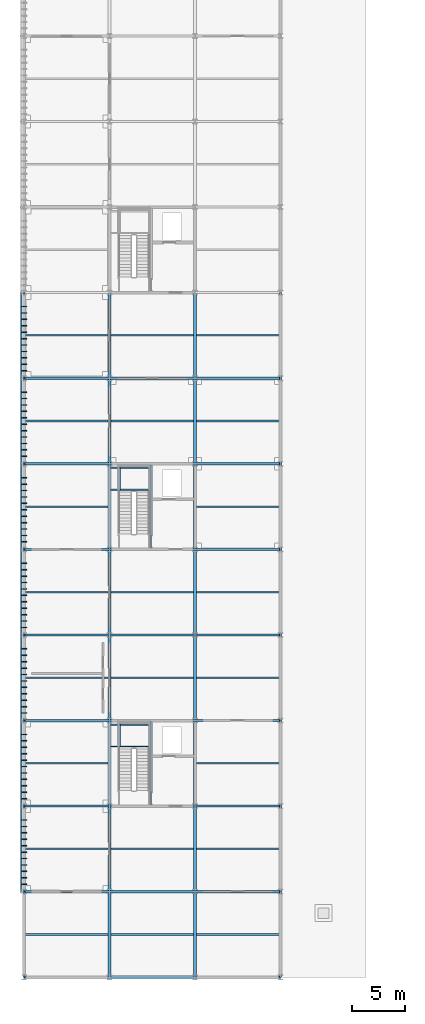
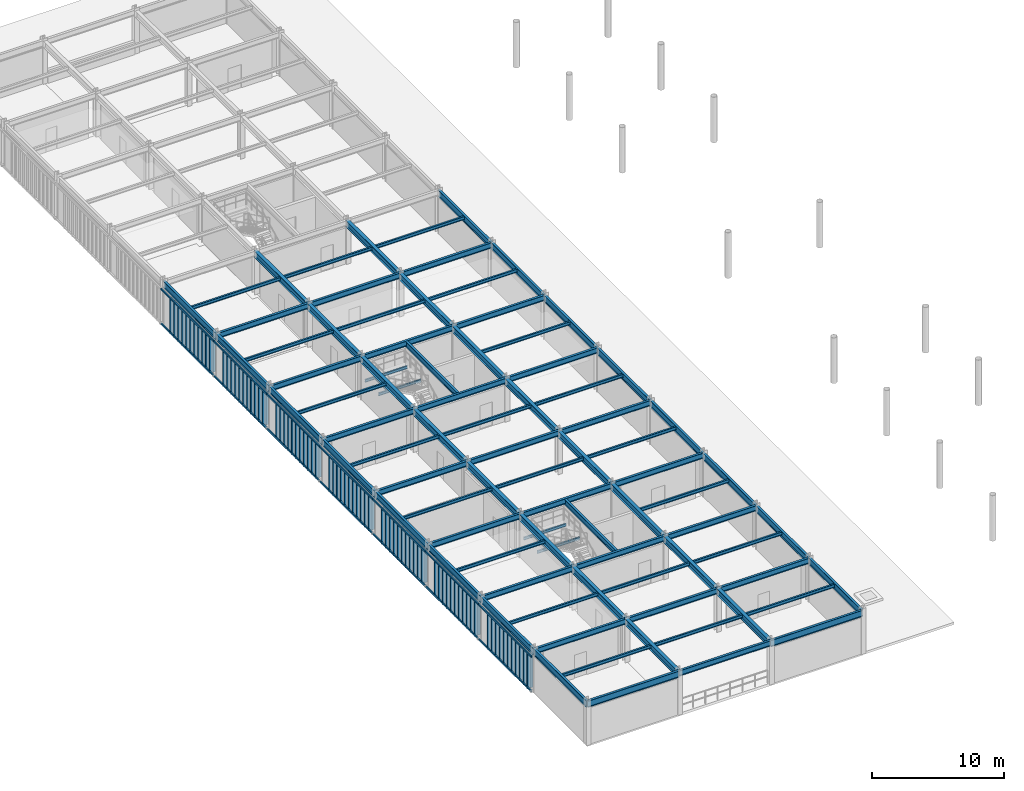
# One storey, part 12 of 54: 91 members, 86 beams.
"""IFC4 building model written with IfcOpenShell, lengths in metres."""

import ifcopenshell
import ifcopenshell.guid

model = None  # the IFC model being written
_history = None  # IfcOwnerHistory: only IFC2X3 demands one
_inside = {}  # id of a spatial element -> (the spatial element, [elements in it])
_under = {}  # id of a project, library or spatial element -> (it, [spatial elements below it])
_declared = {}  # id of a project -> (the project, [libraries it declares])
_typed = {}  # id of a type object -> (the type object, [elements of that type])
_made_of = {}  # id of a material, layer set ... -> (it, [elements and type objects made of it])


def new_model(schema):
    """Start an empty IFC model of exactly this schema.

    Asked for "IFC4X3", IfcOpenShell would pick the latest addendum, in which some entities
    have other attributes; the version numbers below select the first issue.
    IFC2X3 requires an IfcOwnerHistory on every rooted entity: one is made here for all.
    """
    global model, _history
    if schema == "IFC4X3":
        model = ifcopenshell.file(schema_version=(4, 3, 0, 0))
    else:
        model = ifcopenshell.file(schema=schema)
    _inside.clear()
    _under.clear()
    _declared.clear()
    _typed.clear()
    _made_of.clear()
    _history = None
    if model.schema == "IFC2X3":
        org = make("IfcOrganization", Name="unknown")
        user = make(
            "IfcPersonAndOrganization",
            ThePerson=make("IfcPerson", FamilyName="unknown"),
            TheOrganization=org,
        )
        app = make(
            "IfcApplication",
            ApplicationDeveloper=org,
            Version="unknown",
            ApplicationFullName="unknown",
            ApplicationIdentifier="unknown",
        )
        _history = make(
            "IfcOwnerHistory",
            OwningUser=user,
            OwningApplication=app,
            ChangeAction="ADDED",
            CreationDate=0,
        )
    return model


def make(cls, **values):
    """One entity of the class cls with the attributes given. An attribute that is None is left unset."""
    return model.create_entity(
        cls, **{name: value for name, value in values.items() if value is not None}
    )


def rooted(cls, **values):
    """An entity with a GlobalId (a new one), such as an element, a storey or a relation."""
    return make(cls, GlobalId=ifcopenshell.guid.new(), OwnerHistory=_history, **values)


def si_unit(unit_type, name, prefix=None):
    """IfcSIUnit, for example si_unit("LENGTHUNIT", "METRE", prefix="MILLI")."""
    return make("IfcSIUnit", UnitType=unit_type, Prefix=prefix, Name=name)


def assignment(units):
    """IfcUnitAssignment: the units of a project."""
    return None if units is None else make("IfcUnitAssignment", Units=units)


def point(xyz):
    """IfcCartesianPoint."""
    return None if xyz is None else make("IfcCartesianPoint", Coordinates=xyz)


def direction(xyz):
    """IfcDirection."""
    return None if xyz is None else make("IfcDirection", DirectionRatios=xyz)


def frame(location, z_axis=None, x_axis=None):
    """IfcAxis2Placement3D, a coordinate frame: its origin and axes. An axis left out is left unset."""
    return make(
        "IfcAxis2Placement3D",
        Location=point(location),
        Axis=direction(z_axis),
        RefDirection=direction(x_axis),
    )


def frame_2d(location, x_axis=None):
    """IfcAxis2Placement2D, a coordinate frame in the plane: its origin and x axis."""
    return make(
        "IfcAxis2Placement2D", Location=point(location), RefDirection=direction(x_axis)
    )


def origin():
    """The frame at (0, 0, 0) with its axes left unset."""
    return frame((0.0, 0.0, 0.0))


def origin_2d():
    """The frame at (0, 0) in the plane with its x axis left unset."""
    return frame_2d((0.0, 0.0))


def place(relative_to, where):
    """IfcLocalPlacement: puts the frame where relative to a parent placement (None: the world)."""
    return make(
        "IfcLocalPlacement", PlacementRelTo=relative_to, RelativePlacement=where
    )


def context(
    kind, dimensions, precision=None, world=None, true_north=None, identifier=None
):
    """IfcGeometricRepresentationContext, for example the 3D "Model" context."""
    return make(
        "IfcGeometricRepresentationContext",
        ContextIdentifier=identifier,
        ContextType=kind,
        CoordinateSpaceDimension=dimensions,
        Precision=precision,
        WorldCoordinateSystem=world,
        TrueNorth=true_north,
    )


def subcontext(parent, identifier, kind, view, scale=None):
    """IfcGeometricRepresentationSubContext, for example "Body" below "Model"."""
    return make(
        "IfcGeometricRepresentationSubContext",
        ContextIdentifier=identifier,
        ContextType=kind,
        ParentContext=parent,
        TargetScale=scale,
        TargetView=view,
    )


def project(units=None, contexts=None):
    """IfcProject with its units and contexts."""
    return rooted(
        "IfcProject",
        Name="project",
        RepresentationContexts=contexts,
        UnitsInContext=assignment(units),
    )


def spatial(cls, under=None, at=None, **own):
    """A site, building, storey or space (cls), placed at a placement, below another one or the project."""
    s = rooted(cls, ObjectPlacement=at, **own)
    if under is not None:
        _under.setdefault(under.id(), (under, []))[1].append(s)
    return s


def profile(cls, at=None, kind="AREA", **sizes):
    """A parametric profile (cls). Its sizes go by their IFC names, for example OverallWidth=200.0."""
    return make(cls, ProfileType=kind, Position=at, **sizes)


def rectangle(**sizes):
    """IfcRectangleProfileDef."""
    return profile("IfcRectangleProfileDef", **sizes)


def hollow_rectangle(**sizes):
    """IfcRectangleHollowProfileDef."""
    return profile("IfcRectangleHollowProfileDef", **sizes)


def i_section(**sizes):
    """IfcIShapeProfileDef."""
    return profile("IfcIShapeProfileDef", **sizes)


def extrude(swept, where, along, depth):
    """IfcExtrudedAreaSolid: the profile swept, set in the frame where, extruded along a direction by depth."""
    return make(
        "IfcExtrudedAreaSolid",
        SweptArea=swept,
        Position=where,
        ExtrudedDirection=direction(along),
        Depth=depth,
    )


def shape(context_of_items, identifier, shape_type, items):
    """IfcShapeRepresentation: the items that make up one representation, for example the "Body"."""
    return make(
        "IfcShapeRepresentation",
        ContextOfItems=context_of_items,
        RepresentationIdentifier=identifier,
        RepresentationType=shape_type,
        Items=items,
    )


def material(Name=None, Category=None):
    """IfcMaterial."""
    return make("IfcMaterial", Name=Name, Category=Category)


def material_profile(
    of_material, cross_section, Name=None, Category=None, Priority=None
):
    """IfcMaterialProfile: a cross section and its material."""
    return make(
        "IfcMaterialProfile",
        Name=Name,
        Material=of_material,
        Profile=cross_section,
        Priority=Priority,
        Category=Category,
    )


def profile_set(profiles, Name=None, composite=None):
    """IfcMaterialProfileSet."""
    return make(
        "IfcMaterialProfileSet",
        Name=Name,
        MaterialProfiles=profiles,
        CompositeProfile=composite,
    )


def made_of(thing, what):
    """Note that an element or type object is made of a material, layer set ...; save() writes the relation."""
    if what is not None:
        _made_of.setdefault(what.id(), (what, []))[1].append(thing)
    return thing


def type_object(cls, material=None, **own):
    """A type object (cls), such as IfcWallType, which elements share."""
    return made_of(rooted(cls, **own), material)


def element(
    cls,
    number,
    at=None,
    inside=None,
    cuts=None,
    type_object=None,
    material=None,
    context=None,
    identifier="Body",
    shape_type=None,
    held_by="IfcProductDefinitionShape",
    body=None,
    shapes=None,
    **own,
):
    """One element of the class cls, such as IfcWall. Its Tag is "e" and its number.

    at: its placement. inside: the storey or other place that contains it. cuts: it is an
    opening in that element (IfcRelVoidsElement). A single representation is given by context,
    identifier, shape_type and body (its items); several are given by shapes. held_by: the class
    of the entity that holds the representations. save() writes the other relations.
    """
    e = rooted(cls, Tag="e%d" % number, ObjectPlacement=at, **own)
    if body is not None:
        shapes = [shape(context, identifier, shape_type, body)]
    if shapes is not None:
        e.Representation = make(held_by, Representations=shapes)
    if inside is not None:
        _inside.setdefault(inside.id(), (inside, []))[1].append(e)
    if cuts is not None:
        rooted(
            "IfcRelVoidsElement", RelatingBuildingElement=cuts, RelatedOpeningElement=e
        )
    if type_object is not None:
        _typed.setdefault(type_object.id(), (type_object, []))[1].append(e)
    return made_of(e, material)


def aggregate(whole, parts):
    """IfcRelAggregates: a whole, such as a stair, and the parts it consists of."""
    return rooted("IfcRelAggregates", RelatingObject=whole, RelatedObjects=parts)


def save(model, path):
    """Write the relations noted so far, then the file.

    IfcRelAggregates (storeys below a building ...), IfcRelContainedInSpatialStructure (elements
    in a storey), IfcRelDefinesByType, IfcRelAssociatesMaterial and IfcRelDeclares: one each for
    every whole, place, type object, material and project.
    """
    for whole, parts in _under.values():
        aggregate(whole, parts)
    for where, things in _inside.values():
        rooted(
            "IfcRelContainedInSpatialStructure",
            RelatedElements=things,
            RelatingStructure=where,
        )
    for kind, things in _typed.values():
        rooted("IfcRelDefinesByType", RelatedObjects=things, RelatingType=kind)
    for what, things in _made_of.values():
        rooted("IfcRelAssociatesMaterial", RelatedObjects=things, RelatingMaterial=what)
    for by, libraries in _declared.values():
        rooted("IfcRelDeclares", RelatingContext=by, RelatedDefinitions=libraries)
    model.write(path)


model = new_model("IFC4")

# Units and contexts
model_context = context("Model", 3, precision=1e-05, world=origin(), true_north=direction((0.0, 1.0)))
body_context = subcontext(model_context, "Body", "Model", "MODEL_VIEW")
ifc_project = project(units=[si_unit("LENGTHUNIT", "METRE"), si_unit("AREAUNIT", "SQUARE_METRE"), si_unit("VOLUMEUNIT", "CUBIC_METRE"), si_unit("PLANEANGLEUNIT", "RADIAN"), si_unit("MASSUNIT", "GRAM", prefix="KILO")], contexts=[model_context])

# Site, building, storey
site_placement = place(None, origin())
site = spatial("IfcSite", under=ifc_project, at=site_placement, CompositionType="ELEMENT")
building_placement = place(site_placement, origin())
building = spatial("IfcBuilding", under=site, at=building_placement, Name="Haebicheon Civic Stadium", CompositionType="ELEMENT")
storey_placement = place(building_placement, frame((0.0, 0.0, 22.800048828125)))
storey = spatial("IfcBuildingStorey", under=building, at=storey_placement, Name="L06", CompositionType="ELEMENT", Elevation=22.800048828125)

# Beams
ifc_material_1 = material(Name="Steel SM355 (S355)", Category="steel")
ifc_material_profile_1 = material_profile(ifc_material_1, i_section(OverallWidth=0.199951171875, OverallDepth=0.5, WebThickness=0.010009765625, FlangeThickness=0.01611328125, at=origin_2d()), Name="H-500x200x10x16")
ifc_profile_set_1 = profile_set([ifc_material_profile_1], Name="Steel SM355 (S355)")
beam_type_1 = type_object("IfcBeamType", Name="BM-ST-H500", PredefinedType="BEAM", material=ifc_profile_set_1)
for number, where, z_axis, x_axis, name in (
    (1, (24.0, 48.0, 3.699951171875), (1.0, 0.0, 0.0), (0.0, 1.0, 0.0), "L06 beam G/4-5"),
    (2, (24.0, 56.0, 3.699951171875), (1.0, 0.0, 0.0), (0.0, 1.0, 0.0), "L06 beam H/4-5"),
    (3, (24.0, 64.0, 3.699951171875), (1.0, 0.0, 0.0), (0.0, 1.0, 0.0), "L06 beam J/4-5"),
    (4, (24.0, 72.0, 3.699951171875), (1.0, 0.0, 0.0), (0.0, 1.0, 0.0), "L06 beam K/4-5"),
    (5, (24.0, 80.0, 3.699951171875), (1.0, 0.0, 0.0), (0.0, 1.0, 0.0), "L06 beam L/4-5"),
    (6, (24.0, 88.0, 3.699951171875), (1.0, 0.0, 0.0), (0.0, 1.0, 0.0), "L06 beam M/4-5"),
    (7, (24.0, 96.0, 3.699951171875), (1.0, 0.0, 0.0), (0.0, 1.0, 0.0), "L06 beam N/4-5"),
    (8, (32.0, 40.0, 3.72998046875), (1.0, 0.0, 0.0), (0.0, 1.0, 0.0), "L06 beam F/5-6"),
    (9, (32.0, 48.0, 3.699951171875), (1.0, 0.0, 0.0), (0.0, 1.0, 0.0), "L06 beam G/5-6"),
    (10, (32.0, 56.0, 3.699951171875), (1.0, 0.0, 0.0), (0.0, 1.0, 0.0), "L06 beam H/5-6"),
    (11, (32.0, 64.0, 3.699951171875), (1.0, 0.0, 0.0), (0.0, 1.0, 0.0), "L06 beam J/5-6"),
    (12, (32.0, 72.0, 3.699951171875), (1.0, 0.0, 0.0), (0.0, 1.0, 0.0), "L06 beam K/5-6"),
    (13, (32.0, 80.0, 3.699951171875), (1.0, 0.0, 0.0), (0.0, 1.0, 0.0), "L06 beam L/5-6"),
    (14, (32.0, 88.0, 3.699951171875), (1.0, 0.0, 0.0), (0.0, 1.0, 0.0), "L06 beam M/5-6"),
    (15, (32.0, 96.0, 3.699951171875), (1.0, 0.0, 0.0), (0.0, 1.0, 0.0), "L06 beam N/5-6"),
    (16, (40.0, 48.0, 3.699951171875), (1.0, 0.0, 0.0), (0.0, 1.0, 0.0), "L06 beam G/6-7"),
    (17, (40.0, 56.0, 3.699951171875), (1.0, 0.0, 0.0), (0.0, 1.0, 0.0), "L06 beam H/6-7"),
    (18, (40.0, 64.0, 3.699951171875), (1.0, 0.0, 0.0), (0.0, 1.0, 0.0), "L06 beam J/6-7"),
    (19, (40.0, 72.0, 3.699951171875), (1.0, 0.0, 0.0), (0.0, 1.0, 0.0), "L06 beam K/6-7"),
    (20, (40.0, 80.0, 3.699951171875), (1.0, 0.0, 0.0), (0.0, 1.0, 0.0), "L06 beam L/6-7"),
    (21, (40.0, 88.0, 3.699951171875), (1.0, 0.0, 0.0), (0.0, 1.0, 0.0), "L06 beam M/6-7"),
    (22, (40.0, 96.0, 3.699951171875), (1.0, 0.0, 0.0), (0.0, 1.0, 0.0), "L06 beam N/6-7"),
):
    element("IfcBeam", number, at=place(storey_placement, frame(where, z_axis=z_axis, x_axis=x_axis)), inside=storey, type_object=beam_type_1, material=ifc_profile_set_1, Name=name, PredefinedType="BEAM", context=body_context, shape_type="SweptSolid", body=[
        extrude(i_section(OverallWidth=0.199951171875, OverallDepth=0.5, WebThickness=0.010009765625, FlangeThickness=0.01611328125, at=origin_2d()), origin(), (0.0, 0.0, 1.0), 8.0),
    ])
for number, where, z_axis, x_axis, name in (
    (23, (35.8798828125, 56.10009765625, 3.699951171875), (0.0, 1.0, 0.0), (-1.0, 0.0, 0.0), "L06 KC-02 core dividing wall support beam"),
    (24, (35.8798828125, 80.10009765625, 3.699951171875), (0.0, 1.0, 0.0), (-1.0, 0.0, 0.0), "L06 KC-03 core dividing wall support beam"),
):
    element("IfcBeam", number, at=place(storey_placement, frame(where, z_axis=z_axis, x_axis=x_axis)), inside=storey, type_object=beam_type_1, material=ifc_profile_set_1, Name=name, PredefinedType="BEAM", context=body_context, shape_type="SweptSolid", body=[
        extrude(i_section(OverallWidth=0.199951171875, OverallDepth=0.5, WebThickness=0.010009765625, FlangeThickness=0.01611328125, at=origin_2d()), origin(), (0.0, 0.0, 1.0), 7.7998046875),
    ])
ifc_material_2 = material(Name="Steel SM355 (S355)", Category="steel")
ifc_material_profile_2 = material_profile(ifc_material_2, i_section(OverallWidth=0.300048828125, OverallDepth=0.60009765625, WebThickness=0.011962890625, FlangeThickness=0.02001953125, at=origin_2d()), Name="H-600x300x12x20")
ifc_profile_set_2 = profile_set([ifc_material_profile_2], Name="Steel SM355 (S355)")
beam_type_2 = type_object("IfcBeamType", Name="BM-ST-H600A", PredefinedType="BEAM", material=ifc_profile_set_2)
for number, where, z_axis, x_axis, name in (
    (25, (32.0, 40.0, 3.679931640625), (0.0, 1.0, 0.0), (-1.0, 0.0, 0.0), "L06 girder 5/F-G"),
    (26, (32.0, 48.0, 3.64990234375), (0.0, 1.0, 0.0), (-1.0, 0.0, 0.0), "L06 girder 5/G-H"),
    (27, (32.0, 56.0, 3.64990234375), (0.0, 1.0, 0.0), (-1.0, 0.0, 0.0), "L06 girder 5/H-J"),
    (28, (32.0, 64.0, 3.64990234375), (0.0, 1.0, 0.0), (-1.0, 0.0, 0.0), "L06 girder 5/J-K"),
    (29, (32.0, 72.0, 3.64990234375), (0.0, 1.0, 0.0), (-1.0, 0.0, 0.0), "L06 girder 5/K-L"),
    (30, (32.0, 80.0, 3.64990234375), (0.0, 1.0, 0.0), (-1.0, 0.0, 0.0), "L06 girder 5/L-M"),
    (31, (32.0, 88.0, 3.64990234375), (0.0, 1.0, 0.0), (-1.0, 0.0, 0.0), "L06 girder 5/M-N"),
    (32, (32.0, 96.0, 3.64990234375), (0.0, 1.0, 0.0), (-1.0, 0.0, 0.0), "L06 girder 5/N-P"),
    (33, (40.0, 40.0, 3.679931640625), (0.0, 1.0, 0.0), (-1.0, 0.0, 0.0), "L06 girder 6/F-G"),
    (34, (40.0, 48.0, 3.64990234375), (0.0, 1.0, 0.0), (-1.0, 0.0, 0.0), "L06 girder 6/G-H"),
    (35, (40.0, 56.0, 3.64990234375), (0.0, 1.0, 0.0), (-1.0, 0.0, 0.0), "L06 girder 6/H-J"),
    (36, (40.0, 64.0, 3.64990234375), (0.0, 1.0, 0.0), (-1.0, 0.0, 0.0), "L06 girder 6/J-K"),
    (37, (40.0, 72.0, 3.64990234375), (0.0, 1.0, 0.0), (-1.0, 0.0, 0.0), "L06 girder 6/K-L"),
    (38, (40.0, 80.0, 3.64990234375), (0.0, 1.0, 0.0), (-1.0, 0.0, 0.0), "L06 girder 6/L-M"),
    (39, (40.0, 88.0, 3.64990234375), (0.0, 1.0, 0.0), (-1.0, 0.0, 0.0), "L06 girder 6/M-N"),
    (40, (40.0, 96.0, 3.64990234375), (0.0, 1.0, 0.0), (-1.0, 0.0, 0.0), "L06 girder 6/N-P"),
):
    element("IfcBeam", number, at=place(storey_placement, frame(where, z_axis=z_axis, x_axis=x_axis)), inside=storey, type_object=beam_type_2, material=ifc_profile_set_2, Name=name, PredefinedType="BEAM", context=body_context, shape_type="SweptSolid", body=[
        extrude(i_section(OverallWidth=0.300048828125, OverallDepth=0.60009765625, WebThickness=0.011962890625, FlangeThickness=0.02001953125, at=origin_2d()), origin(), (0.0, 0.0, 1.0), 8.0),
    ])
ifc_material_3 = material(Name="Steel SM355 (S355)", Category="steel")
ifc_material_profile_3 = material_profile(ifc_material_3, i_section(OverallWidth=0.125, OverallDepth=0.25, WebThickness=0.006103515625, FlangeThickness=0.009033203125, at=origin_2d()), Name="H-250x125x6x9")
ifc_profile_set_3 = profile_set([ifc_material_profile_3], Name="Steel SM355 (S355)")
beam_type_3 = type_object("IfcBeamType", Name="JST-ST-H250", PredefinedType="JOIST", material=ifc_profile_set_3)
for number, where, z_axis, x_axis, name in (
    (41, (32.080078125, 61.570068359375, 1.77197265625), (1.0, 0.0, 0.0), (0.0, 1.0, 0.0), "KC-02 L06 stair half-landing front trimmer beam"),
    (42, (32.080078125, 63.6201171875, 1.77197265625), (1.0, 0.0, 0.0), (0.0, 1.0, 0.0), "KC-02 L06 stair half-landing rear trimmer beam"),
):
    element("IfcBeam", number, at=place(storey_placement, frame(where, z_axis=z_axis, x_axis=x_axis)), inside=storey, type_object=beam_type_3, material=ifc_profile_set_3, Name=name, PredefinedType="JOIST", context=body_context, shape_type="SweptSolid", body=[
        extrude(i_section(OverallWidth=0.125, OverallDepth=0.25, WebThickness=0.006103515625, FlangeThickness=0.009033203125, at=origin_2d()), origin(), (0.0, 0.0, 1.0), 3.719970703125),
    ])
beam_1_placement = place(storey_placement, frame((32.9599609375, 61.570068359375, 1.77197265625), z_axis=(0.0, 1.0, 0.0), x_axis=(-1.0, 0.0, 0.0)))
element("IfcBeam", 43, at=beam_1_placement, inside=storey, type_object=beam_type_3, material=ifc_profile_set_3, Name="KC-02 L06 stair half-landing transverse tie beam", PredefinedType="JOIST", context=body_context, shape_type="SweptSolid", body=[
    extrude(i_section(OverallWidth=0.125, OverallDepth=0.25, WebThickness=0.006103515625, FlangeThickness=0.009033203125, at=origin_2d()), origin(), (0.0, 0.0, 1.0), 2.050048828125),
])
for number, where, z_axis, x_axis, name in (
    (44, (32.080078125, 85.570068359375, 1.77197265625), (1.0, 0.0, 0.0), (0.0, 1.0, 0.0), "KC-03 L06 stair half-landing front trimmer beam"),
    (45, (32.080078125, 87.6201171875, 1.77197265625), (1.0, 0.0, 0.0), (0.0, 1.0, 0.0), "KC-03 L06 stair half-landing rear trimmer beam"),
):
    element("IfcBeam", number, at=place(storey_placement, frame(where, z_axis=z_axis, x_axis=x_axis)), inside=storey, type_object=beam_type_3, material=ifc_profile_set_3, Name=name, PredefinedType="JOIST", context=body_context, shape_type="SweptSolid", body=[
        extrude(i_section(OverallWidth=0.125, OverallDepth=0.25, WebThickness=0.006103515625, FlangeThickness=0.009033203125, at=origin_2d()), origin(), (0.0, 0.0, 1.0), 3.719970703125),
    ])
beam_2_placement = place(storey_placement, frame((32.9599609375, 85.570068359375, 1.77197265625), z_axis=(0.0, 1.0, 0.0), x_axis=(-1.0, 0.0, 0.0)))
element("IfcBeam", 46, at=beam_2_placement, inside=storey, type_object=beam_type_3, material=ifc_profile_set_3, Name="KC-03 L06 stair half-landing transverse tie beam", PredefinedType="JOIST", context=body_context, shape_type="SweptSolid", body=[
    extrude(i_section(OverallWidth=0.125, OverallDepth=0.25, WebThickness=0.006103515625, FlangeThickness=0.009033203125, at=origin_2d()), origin(), (0.0, 0.0, 1.0), 2.050048828125),
])
ifc_material_4 = material(Name="Steel SM355 (S355)", Category="steel")
ifc_material_profile_4 = material_profile(ifc_material_4, i_section(OverallWidth=0.14990234375, OverallDepth=0.300048828125, WebThickness=0.006591796875, FlangeThickness=0.009033203125, at=origin_2d()), Name="H-300x150x6.5x9")
ifc_profile_set_4 = profile_set([ifc_material_profile_4], Name="Steel SM355 (S355)")
beam_type_4 = type_object("IfcBeamType", Name="JST-ST-H300", PredefinedType="JOIST", material=ifc_profile_set_4)
for number, where, z_axis, x_axis, name in (
    (47, (24.10009765625, 44.0, 3.829833984375), (1.0, 0.0, 0.0), (0.0, 1.0, 0.0), "L06 secondary joist 03-05"),
    (48, (24.10009765625, 52.0, 3.800048828125), (1.0, 0.0, 0.0), (0.0, 1.0, 0.0), "L06 secondary joist 03-06"),
    (49, (24.10009765625, 60.0, 3.800048828125), (1.0, 0.0, 0.0), (0.0, 1.0, 0.0), "L06 secondary joist 03-07"),
    (50, (24.10009765625, 68.0, 3.800048828125), (1.0, 0.0, 0.0), (0.0, 1.0, 0.0), "L06 secondary joist 03-08"),
    (51, (24.10009765625, 76.0, 3.800048828125), (1.0, 0.0, 0.0), (0.0, 1.0, 0.0), "L06 secondary joist 03-09"),
    (52, (24.10009765625, 84.0, 3.800048828125), (1.0, 0.0, 0.0), (0.0, 1.0, 0.0), "L06 secondary joist 03-10"),
    (53, (24.10009765625, 92.0, 3.800048828125), (1.0, 0.0, 0.0), (0.0, 1.0, 0.0), "L06 secondary joist 03-11"),
    (54, (24.10009765625, 100.0, 3.800048828125), (1.0, 0.0, 0.0), (0.0, 1.0, 0.0), "L06 secondary joist 03-12"),
):
    element("IfcBeam", number, at=place(storey_placement, frame(where, z_axis=z_axis, x_axis=x_axis)), inside=storey, type_object=beam_type_4, material=ifc_profile_set_4, Name=name, PredefinedType="JOIST", context=body_context, shape_type="SweptSolid", body=[
        extrude(i_section(OverallWidth=0.14990234375, OverallDepth=0.300048828125, WebThickness=0.006591796875, FlangeThickness=0.009033203125, at=origin_2d()), origin(), (0.0, 0.0, 1.0), 7.75),
    ])
for number, where, z_axis, x_axis, name in (
    (55, (32.14990234375, 44.0, 3.829833984375), (1.0, 0.0, 0.0), (0.0, 1.0, 0.0), "L06 secondary joist 04-05"),
    (56, (32.14990234375, 52.0, 3.800048828125), (1.0, 0.0, 0.0), (0.0, 1.0, 0.0), "L06 secondary joist 04-06"),
    (57, (32.14990234375, 68.0, 3.800048828125), (1.0, 0.0, 0.0), (0.0, 1.0, 0.0), "L06 secondary joist 04-08"),
    (58, (32.14990234375, 76.0, 3.800048828125), (1.0, 0.0, 0.0), (0.0, 1.0, 0.0), "L06 secondary joist 04-09"),
    (59, (32.14990234375, 92.0, 3.800048828125), (1.0, 0.0, 0.0), (0.0, 1.0, 0.0), "L06 secondary joist 04-11"),
    (60, (32.14990234375, 100.0, 3.800048828125), (1.0, 0.0, 0.0), (0.0, 1.0, 0.0), "L06 secondary joist 04-12"),
):
    element("IfcBeam", number, at=place(storey_placement, frame(where, z_axis=z_axis, x_axis=x_axis)), inside=storey, type_object=beam_type_4, material=ifc_profile_set_4, Name=name, PredefinedType="JOIST", context=body_context, shape_type="SweptSolid", body=[
        extrude(i_section(OverallWidth=0.14990234375, OverallDepth=0.300048828125, WebThickness=0.006591796875, FlangeThickness=0.009033203125, at=origin_2d()), origin(), (0.0, 0.0, 1.0), 7.7001953125),
    ])
for number, where, z_axis, x_axis, name in (
    (61, (40.14990234375, 44.0, 3.829833984375), (1.0, 0.0, 0.0), (0.0, 1.0, 0.0), "L06 secondary joist 05-05"),
    (62, (40.14990234375, 52.0, 3.800048828125), (1.0, 0.0, 0.0), (0.0, 1.0, 0.0), "L06 secondary joist 05-06"),
    (63, (40.14990234375, 60.0, 3.800048828125), (1.0, 0.0, 0.0), (0.0, 1.0, 0.0), "L06 secondary joist 05-07"),
    (64, (40.14990234375, 68.0, 3.800048828125), (1.0, 0.0, 0.0), (0.0, 1.0, 0.0), "L06 secondary joist 05-08"),
    (65, (40.14990234375, 76.0, 3.800048828125), (1.0, 0.0, 0.0), (0.0, 1.0, 0.0), "L06 secondary joist 05-09"),
    (66, (40.14990234375, 84.0, 3.800048828125), (1.0, 0.0, 0.0), (0.0, 1.0, 0.0), "L06 secondary joist 05-10"),
    (67, (40.14990234375, 92.0, 3.800048828125), (1.0, 0.0, 0.0), (0.0, 1.0, 0.0), "L06 secondary joist 05-11"),
    (68, (40.14990234375, 100.0, 3.800048828125), (1.0, 0.0, 0.0), (0.0, 1.0, 0.0), "L06 secondary joist 05-12"),
):
    element("IfcBeam", number, at=place(storey_placement, frame(where, z_axis=z_axis, x_axis=x_axis)), inside=storey, type_object=beam_type_4, material=ifc_profile_set_4, Name=name, PredefinedType="JOIST", context=body_context, shape_type="SweptSolid", body=[
        extrude(i_section(OverallWidth=0.14990234375, OverallDepth=0.300048828125, WebThickness=0.006591796875, FlangeThickness=0.009033203125, at=origin_2d()), origin(), (0.0, 0.0, 1.0), 7.75),
    ])

# Members
ifc_material_5 = material(Name="Acetylated timber GL28h", Category="wood")
ifc_material_profile_5 = material_profile(ifc_material_5, rectangle(XDim=0.080078125, YDim=0.52001953125, at=origin_2d()), Name="TMB-LOUV-80x520")
ifc_profile_set_5 = profile_set([ifc_material_profile_5], Name="Acetylated timber GL28h")
member_type_1 = type_object("IfcMemberType", Name="LVR-TIM-520x80", PredefinedType="PLATE", material=ifc_profile_set_5)
for number, where, z_axis, x_axis, name in (
    (69, (24.02001953125, 48.699951171875, -0.1201171875), (0.0, 0.0, 1.0), (0.0, 1.0, 0.0), "SCR-WEST L06 acetylated timber storm louvre fin 1.1"),
    (70, (24.02001953125, 49.300048828125, -0.1201171875), (0.0, 0.0, 1.0), (0.0, 1.0, 0.0), "SCR-WEST L06 acetylated timber storm louvre fin 1.2"),
    (71, (24.02001953125, 49.89990234375, -0.1201171875), (0.0, 0.0, 1.0), (0.0, 1.0, 0.0), "SCR-WEST L06 acetylated timber storm louvre fin 1.3"),
    (72, (24.02001953125, 50.5, -0.1201171875), (0.0, 0.0, 1.0), (0.0, 1.0, 0.0), "SCR-WEST L06 acetylated timber storm louvre fin 1.4"),
    (73, (24.02001953125, 51.10009765625, -0.1201171875), (0.0, 0.0, 1.0), (0.0, 1.0, 0.0), "SCR-WEST L06 acetylated timber storm louvre fin 1.5"),
    (74, (24.02001953125, 51.699951171875, -0.1201171875), (0.0, 0.0, 1.0), (0.0, 1.0, 0.0), "SCR-WEST L06 acetylated timber storm louvre fin 1.6"),
    (75, (24.02001953125, 52.300048828125, -0.1201171875), (0.0, 0.0, 1.0), (0.0, 1.0, 0.0), "SCR-WEST L06 acetylated timber storm louvre fin 1.7"),
    (76, (24.02001953125, 52.89990234375, -0.1201171875), (0.0, 0.0, 1.0), (0.0, 1.0, 0.0), "SCR-WEST L06 acetylated timber storm louvre fin 1.8"),
    (77, (24.02001953125, 53.5, -0.1201171875), (0.0, 0.0, 1.0), (0.0, 1.0, 0.0), "SCR-WEST L06 acetylated timber storm louvre fin 1.9"),
    (78, (24.02001953125, 54.10009765625, -0.1201171875), (0.0, 0.0, 1.0), (0.0, 1.0, 0.0), "SCR-WEST L06 acetylated timber storm louvre fin 1.10"),
    (79, (24.02001953125, 54.699951171875, -0.1201171875), (0.0, 0.0, 1.0), (0.0, 1.0, 0.0), "SCR-WEST L06 acetylated timber storm louvre fin 1.11"),
    (80, (24.02001953125, 56.699951171875, -0.1201171875), (0.0, 0.0, 1.0), (0.0, 1.0, 0.0), "SCR-WEST L06 acetylated timber storm louvre fin 2.1"),
    (81, (24.02001953125, 57.300048828125, -0.1201171875), (0.0, 0.0, 1.0), (0.0, 1.0, 0.0), "SCR-WEST L06 acetylated timber storm louvre fin 2.2"),
    (82, (24.02001953125, 57.89990234375, -0.1201171875), (0.0, 0.0, 1.0), (0.0, 1.0, 0.0), "SCR-WEST L06 acetylated timber storm louvre fin 2.3"),
    (83, (24.02001953125, 58.5, -0.1201171875), (0.0, 0.0, 1.0), (0.0, 1.0, 0.0), "SCR-WEST L06 acetylated timber storm louvre fin 2.4"),
    (84, (24.02001953125, 59.10009765625, -0.1201171875), (0.0, 0.0, 1.0), (0.0, 1.0, 0.0), "SCR-WEST L06 acetylated timber storm louvre fin 2.5"),
    (85, (24.02001953125, 59.699951171875, -0.1201171875), (0.0, 0.0, 1.0), (0.0, 1.0, 0.0), "SCR-WEST L06 acetylated timber storm louvre fin 2.6"),
    (86, (24.02001953125, 60.300048828125, -0.1201171875), (0.0, 0.0, 1.0), (0.0, 1.0, 0.0), "SCR-WEST L06 acetylated timber storm louvre fin 2.7"),
    (87, (24.02001953125, 60.89990234375, -0.1201171875), (0.0, 0.0, 1.0), (0.0, 1.0, 0.0), "SCR-WEST L06 acetylated timber storm louvre fin 2.8"),
    (88, (24.02001953125, 61.5, -0.1201171875), (0.0, 0.0, 1.0), (0.0, 1.0, 0.0), "SCR-WEST L06 acetylated timber storm louvre fin 2.9"),
    (89, (24.02001953125, 62.10009765625, -0.1201171875), (0.0, 0.0, 1.0), (0.0, 1.0, 0.0), "SCR-WEST L06 acetylated timber storm louvre fin 2.10"),
    (90, (24.02001953125, 62.699951171875, -0.1201171875), (0.0, 0.0, 1.0), (0.0, 1.0, 0.0), "SCR-WEST L06 acetylated timber storm louvre fin 2.11"),
    (91, (24.02001953125, 64.699951171875, -0.1201171875), (0.0, 0.0, 1.0), (0.0, 1.0, 0.0), "SCR-WEST L06 acetylated timber storm louvre fin 3.1"),
    (92, (24.02001953125, 65.300048828125, -0.1201171875), (0.0, 0.0, 1.0), (0.0, 1.0, 0.0), "SCR-WEST L06 acetylated timber storm louvre fin 3.2"),
    (93, (24.02001953125, 65.89990234375, -0.1201171875), (0.0, 0.0, 1.0), (0.0, 1.0, 0.0), "SCR-WEST L06 acetylated timber storm louvre fin 3.3"),
    (94, (24.02001953125, 66.5, -0.1201171875), (0.0, 0.0, 1.0), (0.0, 1.0, 0.0), "SCR-WEST L06 acetylated timber storm louvre fin 3.4"),
    (95, (24.02001953125, 67.10009765625, -0.1201171875), (0.0, 0.0, 1.0), (0.0, 1.0, 0.0), "SCR-WEST L06 acetylated timber storm louvre fin 3.5"),
    (96, (24.02001953125, 67.699951171875, -0.1201171875), (0.0, 0.0, 1.0), (0.0, 1.0, 0.0), "SCR-WEST L06 acetylated timber storm louvre fin 3.6"),
    (97, (24.02001953125, 68.300048828125, -0.1201171875), (0.0, 0.0, 1.0), (0.0, 1.0, 0.0), "SCR-WEST L06 acetylated timber storm louvre fin 3.7"),
    (98, (24.02001953125, 68.89990234375, -0.1201171875), (0.0, 0.0, 1.0), (0.0, 1.0, 0.0), "SCR-WEST L06 acetylated timber storm louvre fin 3.8"),
    (99, (24.02001953125, 69.5, -0.1201171875), (0.0, 0.0, 1.0), (0.0, 1.0, 0.0), "SCR-WEST L06 acetylated timber storm louvre fin 3.9"),
    (100, (24.02001953125, 70.10009765625, -0.1201171875), (0.0, 0.0, 1.0), (0.0, 1.0, 0.0), "SCR-WEST L06 acetylated timber storm louvre fin 3.10"),
    (101, (24.02001953125, 70.699951171875, -0.1201171875), (0.0, 0.0, 1.0), (0.0, 1.0, 0.0), "SCR-WEST L06 acetylated timber storm louvre fin 3.11"),
    (102, (24.02001953125, 72.699951171875, -0.1201171875), (0.0, 0.0, 1.0), (0.0, 1.0, 0.0), "SCR-WEST L06 acetylated timber storm louvre fin 4.1"),
    (103, (24.02001953125, 73.300048828125, -0.1201171875), (0.0, 0.0, 1.0), (0.0, 1.0, 0.0), "SCR-WEST L06 acetylated timber storm louvre fin 4.2"),
    (104, (24.02001953125, 73.89990234375, -0.1201171875), (0.0, 0.0, 1.0), (0.0, 1.0, 0.0), "SCR-WEST L06 acetylated timber storm louvre fin 4.3"),
    (105, (24.02001953125, 74.5, -0.1201171875), (0.0, 0.0, 1.0), (0.0, 1.0, 0.0), "SCR-WEST L06 acetylated timber storm louvre fin 4.4"),
    (106, (24.02001953125, 75.10009765625, -0.1201171875), (0.0, 0.0, 1.0), (0.0, 1.0, 0.0), "SCR-WEST L06 acetylated timber storm louvre fin 4.5"),
    (107, (24.02001953125, 75.699951171875, -0.1201171875), (0.0, 0.0, 1.0), (0.0, 1.0, 0.0), "SCR-WEST L06 acetylated timber storm louvre fin 4.6"),
    (108, (24.02001953125, 76.300048828125, -0.1201171875), (0.0, 0.0, 1.0), (0.0, 1.0, 0.0), "SCR-WEST L06 acetylated timber storm louvre fin 4.7"),
    (109, (24.02001953125, 76.89990234375, -0.1201171875), (0.0, 0.0, 1.0), (0.0, 1.0, 0.0), "SCR-WEST L06 acetylated timber storm louvre fin 4.8"),
    (110, (24.02001953125, 77.5, -0.1201171875), (0.0, 0.0, 1.0), (0.0, 1.0, 0.0), "SCR-WEST L06 acetylated timber storm louvre fin 4.9"),
    (111, (24.02001953125, 78.10009765625, -0.1201171875), (0.0, 0.0, 1.0), (0.0, 1.0, 0.0), "SCR-WEST L06 acetylated timber storm louvre fin 4.10"),
    (112, (24.02001953125, 78.699951171875, -0.1201171875), (0.0, 0.0, 1.0), (0.0, 1.0, 0.0), "SCR-WEST L06 acetylated timber storm louvre fin 4.11"),
    (113, (24.02001953125, 80.699951171875, -0.1201171875), (0.0, 0.0, 1.0), (0.0, 1.0, 0.0), "SCR-WEST L06 acetylated timber storm louvre fin 5.1"),
    (114, (24.02001953125, 81.300048828125, -0.1201171875), (0.0, 0.0, 1.0), (0.0, 1.0, 0.0), "SCR-WEST L06 acetylated timber storm louvre fin 5.2"),
    (115, (24.02001953125, 81.89990234375, -0.1201171875), (0.0, 0.0, 1.0), (0.0, 1.0, 0.0), "SCR-WEST L06 acetylated timber storm louvre fin 5.3"),
    (116, (24.02001953125, 82.5, -0.1201171875), (0.0, 0.0, 1.0), (0.0, 1.0, 0.0), "SCR-WEST L06 acetylated timber storm louvre fin 5.4"),
    (117, (24.02001953125, 83.10009765625, -0.1201171875), (0.0, 0.0, 1.0), (0.0, 1.0, 0.0), "SCR-WEST L06 acetylated timber storm louvre fin 5.5"),
    (118, (24.02001953125, 83.699951171875, -0.1201171875), (0.0, 0.0, 1.0), (0.0, 1.0, 0.0), "SCR-WEST L06 acetylated timber storm louvre fin 5.6"),
    (119, (24.02001953125, 84.300048828125, -0.1201171875), (0.0, 0.0, 1.0), (0.0, 1.0, 0.0), "SCR-WEST L06 acetylated timber storm louvre fin 5.7"),
    (120, (24.02001953125, 84.89990234375, -0.1201171875), (0.0, 0.0, 1.0), (0.0, 1.0, 0.0), "SCR-WEST L06 acetylated timber storm louvre fin 5.8"),
    (121, (24.02001953125, 85.5, -0.1201171875), (0.0, 0.0, 1.0), (0.0, 1.0, 0.0), "SCR-WEST L06 acetylated timber storm louvre fin 5.9"),
    (122, (24.02001953125, 86.10009765625, -0.1201171875), (0.0, 0.0, 1.0), (0.0, 1.0, 0.0), "SCR-WEST L06 acetylated timber storm louvre fin 5.10"),
    (123, (24.02001953125, 86.699951171875, -0.1201171875), (0.0, 0.0, 1.0), (0.0, 1.0, 0.0), "SCR-WEST L06 acetylated timber storm louvre fin 5.11"),
    (124, (24.02001953125, 88.699951171875, -0.1201171875), (0.0, 0.0, 1.0), (0.0, 1.0, 0.0), "SCR-WEST L06 acetylated timber storm louvre fin 6.1"),
    (125, (24.02001953125, 89.300048828125, -0.1201171875), (0.0, 0.0, 1.0), (0.0, 1.0, 0.0), "SCR-WEST L06 acetylated timber storm louvre fin 6.2"),
    (126, (24.02001953125, 89.89990234375, -0.1201171875), (0.0, 0.0, 1.0), (0.0, 1.0, 0.0), "SCR-WEST L06 acetylated timber storm louvre fin 6.3"),
    (127, (24.02001953125, 90.5, -0.1201171875), (0.0, 0.0, 1.0), (0.0, 1.0, 0.0), "SCR-WEST L06 acetylated timber storm louvre fin 6.4"),
    (128, (24.02001953125, 91.10009765625, -0.1201171875), (0.0, 0.0, 1.0), (0.0, 1.0, 0.0), "SCR-WEST L06 acetylated timber storm louvre fin 6.5"),
    (129, (24.02001953125, 91.699951171875, -0.1201171875), (0.0, 0.0, 1.0), (0.0, 1.0, 0.0), "SCR-WEST L06 acetylated timber storm louvre fin 6.6"),
    (130, (24.02001953125, 92.300048828125, -0.1201171875), (0.0, 0.0, 1.0), (0.0, 1.0, 0.0), "SCR-WEST L06 acetylated timber storm louvre fin 6.7"),
    (131, (24.02001953125, 92.89990234375, -0.1201171875), (0.0, 0.0, 1.0), (0.0, 1.0, 0.0), "SCR-WEST L06 acetylated timber storm louvre fin 6.8"),
    (132, (24.02001953125, 93.5, -0.1201171875), (0.0, 0.0, 1.0), (0.0, 1.0, 0.0), "SCR-WEST L06 acetylated timber storm louvre fin 6.9"),
    (133, (24.02001953125, 94.10009765625, -0.1201171875), (0.0, 0.0, 1.0), (0.0, 1.0, 0.0), "SCR-WEST L06 acetylated timber storm louvre fin 6.10"),
    (134, (24.02001953125, 94.699951171875, -0.1201171875), (0.0, 0.0, 1.0), (0.0, 1.0, 0.0), "SCR-WEST L06 acetylated timber storm louvre fin 6.11"),
    (135, (24.02001953125, 96.699951171875, -0.1201171875), (0.0, 0.0, 1.0), (0.0, 1.0, 0.0), "SCR-WEST L06 acetylated timber storm louvre fin 7.1"),
    (136, (24.02001953125, 97.300048828125, -0.1201171875), (0.0, 0.0, 1.0), (0.0, 1.0, 0.0), "SCR-WEST L06 acetylated timber storm louvre fin 7.2"),
    (137, (24.02001953125, 97.89990234375, -0.1201171875), (0.0, 0.0, 1.0), (0.0, 1.0, 0.0), "SCR-WEST L06 acetylated timber storm louvre fin 7.3"),
    (138, (24.02001953125, 98.5, -0.1201171875), (0.0, 0.0, 1.0), (0.0, 1.0, 0.0), "SCR-WEST L06 acetylated timber storm louvre fin 7.4"),
    (139, (24.02001953125, 99.10009765625, -0.1201171875), (0.0, 0.0, 1.0), (0.0, 1.0, 0.0), "SCR-WEST L06 acetylated timber storm louvre fin 7.5"),
    (140, (24.02001953125, 99.699951171875, -0.1201171875), (0.0, 0.0, 1.0), (0.0, 1.0, 0.0), "SCR-WEST L06 acetylated timber storm louvre fin 7.6"),
    (141, (24.02001953125, 100.300048828125, -0.1201171875), (0.0, 0.0, 1.0), (0.0, 1.0, 0.0), "SCR-WEST L06 acetylated timber storm louvre fin 7.7"),
    (142, (24.02001953125, 100.89990234375, -0.1201171875), (0.0, 0.0, 1.0), (0.0, 1.0, 0.0), "SCR-WEST L06 acetylated timber storm louvre fin 7.8"),
    (143, (24.02001953125, 101.5, -0.1201171875), (0.0, 0.0, 1.0), (0.0, 1.0, 0.0), "SCR-WEST L06 acetylated timber storm louvre fin 7.9"),
    (144, (24.02001953125, 102.10009765625, -0.1201171875), (0.0, 0.0, 1.0), (0.0, 1.0, 0.0), "SCR-WEST L06 acetylated timber storm louvre fin 7.10"),
    (145, (24.02001953125, 102.699951171875, -0.1201171875), (0.0, 0.0, 1.0), (0.0, 1.0, 0.0), "SCR-WEST L06 acetylated timber storm louvre fin 7.11"),
):
    element("IfcMember", number, at=place(storey_placement, frame(where, z_axis=z_axis, x_axis=x_axis)), inside=storey, type_object=member_type_1, material=ifc_profile_set_5, Name=name, PredefinedType="PLATE", context=body_context, shape_type="SweptSolid", body=[
        extrude(rectangle(XDim=0.080078125, YDim=0.52001953125, at=origin_2d()), origin(), (0.0, 0.0, 1.0), 3.3701171875),
    ])

# Beams
ifc_material_6 = material(Name="Steel SM355 (S355)", Category="steel")
ifc_material_profile_6 = material_profile(ifc_material_6, i_section(OverallWidth=0.199951171875, OverallDepth=0.60009765625, WebThickness=0.010986328125, FlangeThickness=0.01708984375, at=origin_2d()), Name="H-600x200x11x17")
ifc_profile_set_6 = profile_set([ifc_material_profile_6], Name="Steel SM355 (S355)")
beam_type_5 = type_object("IfcBeamType", Name="SPD-ST-H600B", PredefinedType="SPANDREL", material=ifc_profile_set_6)
for number, where, z_axis, x_axis, name in (
    (146, (24.0, 40.0, 3.679931640625), (0.0, 1.0, 0.0), (-1.0, 0.0, 0.0), "L06 girder 4/F-G"),
    (147, (24.0, 48.0, 3.64990234375), (0.0, 1.0, 0.0), (-1.0, 0.0, 0.0), "L06 girder 4/G-H"),
    (148, (24.0, 56.0, 3.64990234375), (0.0, 1.0, 0.0), (-1.0, 0.0, 0.0), "L06 girder 4/H-J"),
    (149, (24.0, 64.0, 3.64990234375), (0.0, 1.0, 0.0), (-1.0, 0.0, 0.0), "L06 girder 4/J-K"),
    (150, (24.0, 72.0, 3.64990234375), (0.0, 1.0, 0.0), (-1.0, 0.0, 0.0), "L06 girder 4/K-L"),
    (151, (24.0, 80.0, 3.64990234375), (0.0, 1.0, 0.0), (-1.0, 0.0, 0.0), "L06 girder 4/L-M"),
    (152, (24.0, 88.0, 3.64990234375), (0.0, 1.0, 0.0), (-1.0, 0.0, 0.0), "L06 girder 4/M-N"),
    (153, (24.0, 96.0, 3.64990234375), (0.0, 1.0, 0.0), (-1.0, 0.0, 0.0), "L06 girder 4/N-P"),
    (154, (48.0, 40.0, 3.679931640625), (0.0, 1.0, 0.0), (-1.0, 0.0, 0.0), "L06 girder 7/F-G"),
    (155, (48.0, 48.0, 3.64990234375), (0.0, 1.0, 0.0), (-1.0, 0.0, 0.0), "L06 girder 7/G-H"),
    (156, (48.0, 56.0, 3.64990234375), (0.0, 1.0, 0.0), (-1.0, 0.0, 0.0), "L06 girder 7/H-J"),
    (157, (48.0, 64.0, 3.64990234375), (0.0, 1.0, 0.0), (-1.0, 0.0, 0.0), "L06 girder 7/J-K"),
    (158, (48.0, 72.0, 3.64990234375), (0.0, 1.0, 0.0), (-1.0, 0.0, 0.0), "L06 girder 7/K-L"),
    (159, (48.0, 80.0, 3.64990234375), (0.0, 1.0, 0.0), (-1.0, 0.0, 0.0), "L06 girder 7/L-M"),
    (160, (48.0, 88.0, 3.64990234375), (0.0, 1.0, 0.0), (-1.0, 0.0, 0.0), "L06 girder 7/M-N"),
    (161, (48.0, 96.0, 3.64990234375), (0.0, 1.0, 0.0), (-1.0, 0.0, 0.0), "L06 girder 7/N-P"),
    (162, (24.0, 40.0, 3.679931640625), (1.0, 0.0, 0.0), (0.0, 1.0, 0.0), "L06 beam F/4-5"),
    (163, (40.0, 40.0, 3.679931640625), (1.0, 0.0, 0.0), (0.0, 1.0, 0.0), "L06 beam F/6-7"),
):
    element("IfcBeam", number, at=place(storey_placement, frame(where, z_axis=z_axis, x_axis=x_axis)), inside=storey, type_object=beam_type_5, material=ifc_profile_set_6, Name=name, PredefinedType="SPANDREL", context=body_context, shape_type="SweptSolid", body=[
        extrude(i_section(OverallWidth=0.199951171875, OverallDepth=0.60009765625, WebThickness=0.010986328125, FlangeThickness=0.01708984375, at=origin_2d()), origin(), (0.0, 0.0, 1.0), 8.0),
    ])

# Members
ifc_material_7 = material(Name="Steel SM355 (S355)", Category="steel")
ifc_material_profile_7 = material_profile(ifc_material_7, hollow_rectangle(XDim=0.10009765625, YDim=0.14990234375, WallThickness=0.006103515625, at=origin_2d()), Name="RHS-150x100x6.0")
ifc_profile_set_7 = profile_set([ifc_material_profile_7], Name="Steel SM355 (S355)")
member_type_2 = type_object("IfcMemberType", Name="SUB-RHS150", PredefinedType="STRINGER", material=ifc_profile_set_7)
for number, where, z_axis, x_axis, name in (
    (164, (23.756103515625, 48.0, 0.06005859375), (0.0, 1.0, 0.0), (-1.0, 0.0, 0.0), "SCR-WEST L06 storm-louvre bottom carrier rail 1"),
    (165, (23.756103515625, 48.0, 3.25), (0.0, 1.0, 0.0), (-1.0, 0.0, 0.0), "SCR-WEST L06 storm-louvre top carrier rail 1"),
    (166, (23.756103515625, 56.0, 0.06005859375), (0.0, 1.0, 0.0), (-1.0, 0.0, 0.0), "SCR-WEST L06 storm-louvre bottom carrier rail 2"),
    (167, (23.756103515625, 56.0, 3.25), (0.0, 1.0, 0.0), (-1.0, 0.0, 0.0), "SCR-WEST L06 storm-louvre top carrier rail 2"),
    (168, (23.756103515625, 64.0, 0.06005859375), (0.0, 1.0, 0.0), (-1.0, 0.0, 0.0), "SCR-WEST L06 storm-louvre bottom carrier rail 3"),
    (169, (23.756103515625, 64.0, 3.25), (0.0, 1.0, 0.0), (-1.0, 0.0, 0.0), "SCR-WEST L06 storm-louvre top carrier rail 3"),
    (170, (23.756103515625, 72.0, 0.06005859375), (0.0, 1.0, 0.0), (-1.0, 0.0, 0.0), "SCR-WEST L06 storm-louvre bottom carrier rail 4"),
    (171, (23.756103515625, 72.0, 3.25), (0.0, 1.0, 0.0), (-1.0, 0.0, 0.0), "SCR-WEST L06 storm-louvre top carrier rail 4"),
    (172, (23.756103515625, 80.0, 0.06005859375), (0.0, 1.0, 0.0), (-1.0, 0.0, 0.0), "SCR-WEST L06 storm-louvre bottom carrier rail 5"),
    (173, (23.756103515625, 80.0, 3.25), (0.0, 1.0, 0.0), (-1.0, 0.0, 0.0), "SCR-WEST L06 storm-louvre top carrier rail 5"),
    (174, (23.756103515625, 88.0, 0.06005859375), (0.0, 1.0, 0.0), (-1.0, 0.0, 0.0), "SCR-WEST L06 storm-louvre bottom carrier rail 6"),
    (175, (23.756103515625, 88.0, 3.25), (0.0, 1.0, 0.0), (-1.0, 0.0, 0.0), "SCR-WEST L06 storm-louvre top carrier rail 6"),
    (176, (23.756103515625, 96.0, 0.06005859375), (0.0, 1.0, 0.0), (-1.0, 0.0, 0.0), "SCR-WEST L06 storm-louvre bottom carrier rail 7"),
    (177, (23.756103515625, 96.0, 3.25), (0.0, 1.0, 0.0), (-1.0, 0.0, 0.0), "SCR-WEST L06 storm-louvre top carrier rail 7"),
):
    element("IfcMember", number, at=place(storey_placement, frame(where, z_axis=z_axis, x_axis=x_axis)), inside=storey, type_object=member_type_2, material=ifc_profile_set_7, Name=name, PredefinedType="STRINGER", context=body_context, shape_type="SweptSolid", body=[
        extrude(hollow_rectangle(XDim=0.10009765625, YDim=0.14990234375, WallThickness=0.006103515625, at=origin_2d()), origin(), (0.0, 0.0, 1.0), 8.0),
    ])

save(model, "model.ifc")
